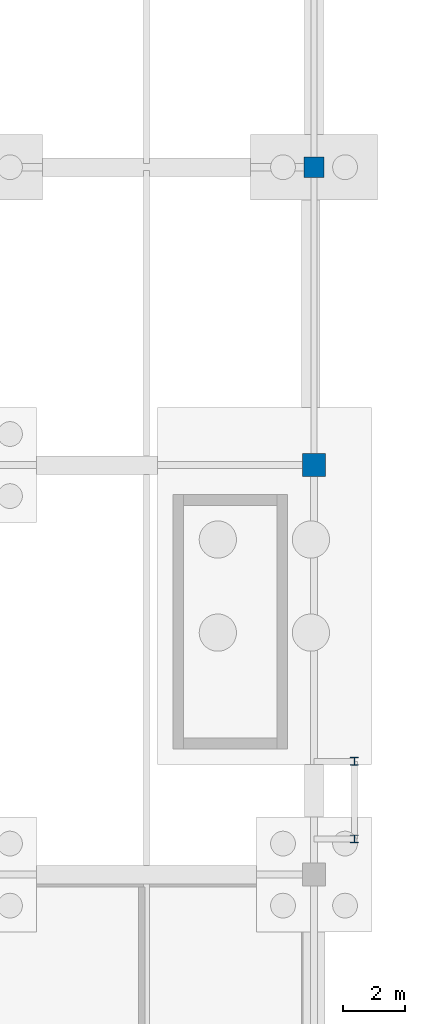
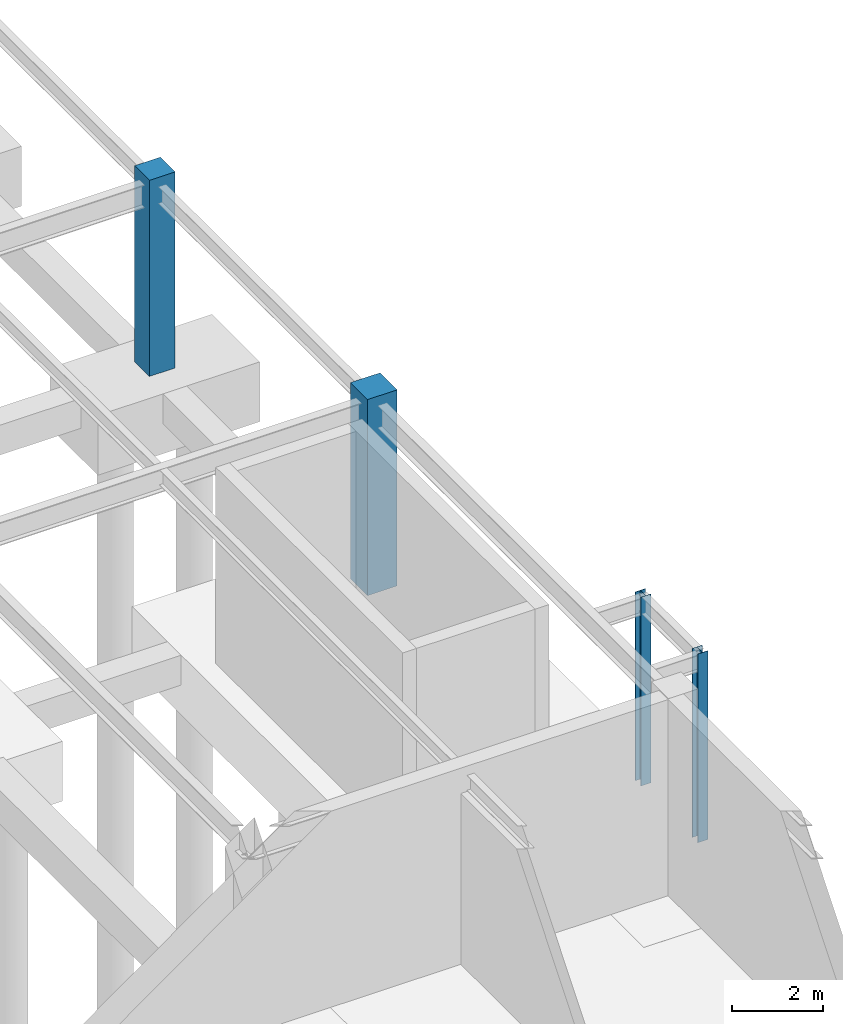
# One storey, part 35 of 55: 4 columns.
"""IFC4 building model written with IfcOpenShell, lengths in metres."""

from ifc_helpers import new_model, si_unit, direction, frame, origin, origin_2d, place, context, subcontext, project, spatial, rectangle, i_section, extrude, material, material_profile, profile_set, type_object, element, save


model = new_model("IFC4")

# Units and contexts
model_context = context("Model", 3, precision=1e-05, world=origin(), true_north=direction((0.0, 1.0)))
body_context = subcontext(model_context, "Body", "Model", "MODEL_VIEW")
ifc_project = project(units=[si_unit("LENGTHUNIT", "METRE"), si_unit("AREAUNIT", "SQUARE_METRE"), si_unit("VOLUMEUNIT", "CUBIC_METRE"), si_unit("PLANEANGLEUNIT", "RADIAN"), si_unit("MASSUNIT", "GRAM", prefix="KILO")], contexts=[model_context])

# Site, building, storey
site_placement = place(None, origin())
site = spatial("IfcSite", under=ifc_project, at=site_placement, CompositionType="ELEMENT")
building_placement = place(site_placement, origin())
building = spatial("IfcBuilding", under=site, at=building_placement, Name="Almandine Court Research Institute", CompositionType="ELEMENT")
storey_placement = place(building_placement, frame((0.0, 0.0, -5.25)))
storey = spatial("IfcBuildingStorey", under=building, at=storey_placement, Name="B1", CompositionType="ELEMENT", Elevation=-5.25)

# Columns
ifc_material_1 = material(Name="Concrete C40/50", Category="concrete")
ifc_material_profile_1 = material_profile(ifc_material_1, rectangle(XDim=0.75, YDim=0.75, at=origin_2d()), Name="RC 750x750")
ifc_profile_set_1 = profile_set([ifc_material_profile_1], Name="Concrete C40/50")
column_type_1 = type_object("IfcColumnType", Name="Col-C-RC1", PredefinedType="COLUMN", material=ifc_profile_set_1)
column_1_placement = place(storey_placement, frame((174.0, 84.0, 0.0), z_axis=(0.0, 0.0, 1.0), x_axis=(1.0, 0.0, 0.0)))
element("IfcColumn", 1, at=column_1_placement, inside=storey, type_object=column_type_1, Name="B1 V4 Column V4-X4Y8", PredefinedType="COLUMN", context=body_context, shape_type="SweptSolid", body=[
    extrude(rectangle(XDim=0.75, YDim=0.75, at=origin_2d()), origin(), (0.0, 0.0, 1.0), 5.25),
])
ifc_material_profile_2 = material_profile(ifc_material_1, rectangle(XDim=0.64990234375, YDim=0.64990234375, at=origin_2d()), Name="RC 650x650")
ifc_profile_set_2 = profile_set([ifc_material_profile_2], Name="Concrete C40/50")
column_type_2 = type_object("IfcColumnType", Name="Col-C-RC2", PredefinedType="COLUMN", material=ifc_profile_set_2)
column_2_placement = place(storey_placement, frame((174.0, 93.60009765625, 0.0), z_axis=(0.0, 0.0, 1.0), x_axis=(1.0, 0.0, 0.0)))
element("IfcColumn", 2, at=column_2_placement, inside=storey, type_object=column_type_2, Name="B1 V4 Column V4-X4Y9", PredefinedType="COLUMN", context=body_context, shape_type="SweptSolid", body=[
    extrude(rectangle(XDim=0.64990234375, YDim=0.64990234375, at=origin_2d()), origin(), (0.0, 0.0, 1.0), 5.25),
])
ifc_material_2 = material(Name="Steel ASTM A992 Grade 50", Category="steel")
ifc_material_profile_3 = material_profile(ifc_material_2, i_section(OverallWidth=0.25390625, OverallDepth=0.2529296875, WebThickness=0.009033203125, FlangeThickness=0.013916015625, at=origin_2d()), Name="W250x73")
ifc_profile_set_3 = profile_set([ifc_material_profile_3], Name="Steel ASTM A992 Grade 50")
column_type_3 = type_object("IfcColumnType", Name="Col-C-W10", PredefinedType="COLUMN", material=ifc_profile_set_3)
for number, where, z_axis, x_axis, name in (
    (3, (175.300048828125, 71.949951171875, 0.0), (0.0, 0.0, 1.0), (1.0, 0.0, 0.0), "B1 Exterior Threshold Support Column PAD-V4-E7-C1"),
    (4, (175.300048828125, 74.449951171875, 0.0), (0.0, 0.0, 1.0), (1.0, 0.0, 0.0), "B1 Exterior Threshold Support Column PAD-V4-E7-C2"),
):
    element("IfcColumn", number, at=place(storey_placement, frame(where, z_axis=z_axis, x_axis=x_axis)), inside=storey, type_object=column_type_3, Name=name, PredefinedType="COLUMN", context=body_context, shape_type="SweptSolid", body=[
        extrude(i_section(OverallWidth=0.25390625, OverallDepth=0.2529296875, WebThickness=0.009033203125, FlangeThickness=0.013916015625, at=origin_2d()), origin(), (0.0, 0.0, 1.0), 5.050048828125),
    ])

save(model, "model.ifc")
